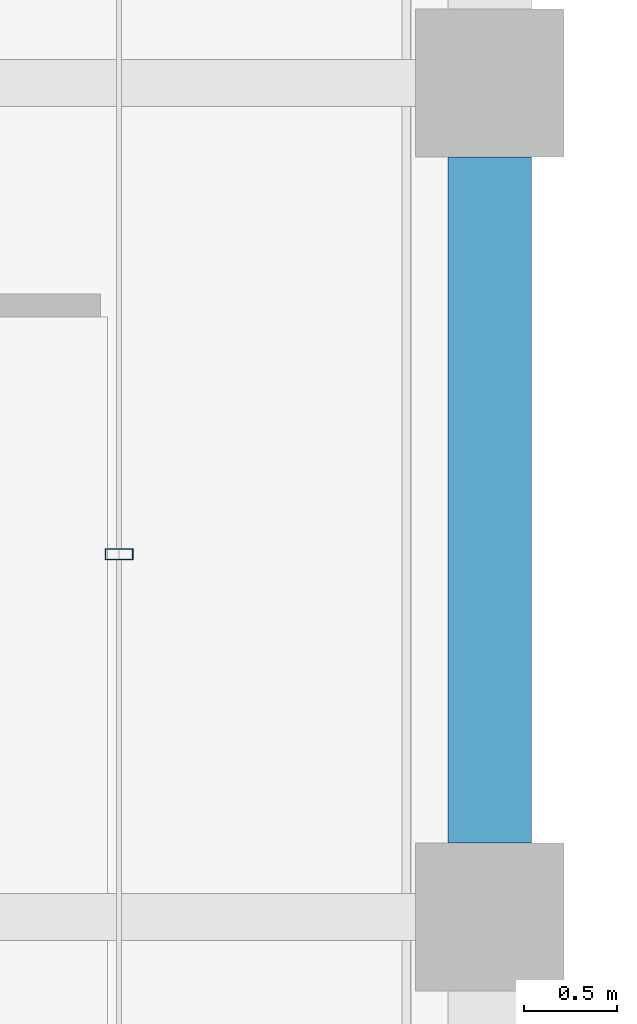
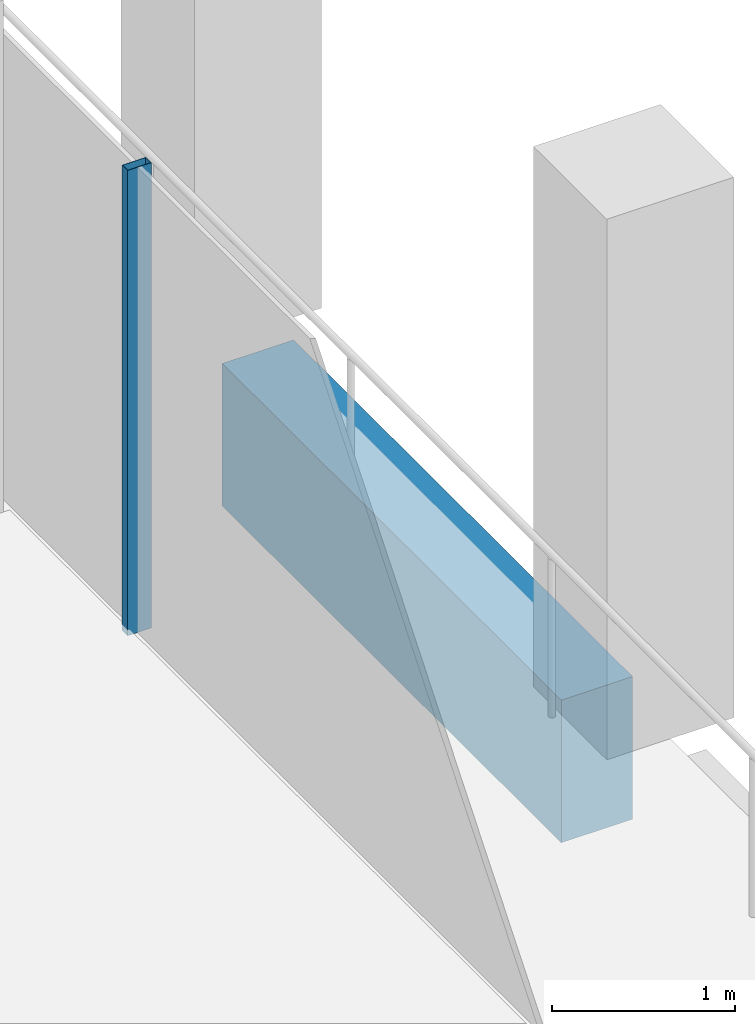
# One storey, part 17 of 40: 1 beam, 1 member, 1 element without a shape of its own.
"""IFC4 building model written with IfcOpenShell, lengths in metres."""

from ifc_helpers import new_model, si_unit, direction, frame, origin, origin_2d, place, context, subcontext, project, spatial, rectangle, hollow_rectangle, extrude, material, material_profile, profile_set, type_object, element, aggregate, save


model = new_model("IFC4")

# Units and contexts
model_context = context("Model", 3, precision=1e-05, world=origin(), true_north=direction((0.0, 1.0)))
body_context = subcontext(model_context, "Body", "Model", "MODEL_VIEW")
ifc_project = project(units=[si_unit("LENGTHUNIT", "METRE"), si_unit("AREAUNIT", "SQUARE_METRE"), si_unit("VOLUMEUNIT", "CUBIC_METRE"), si_unit("PLANEANGLEUNIT", "RADIAN"), si_unit("MASSUNIT", "GRAM", prefix="KILO")], contexts=[model_context])

# Site, building, storey
site_placement = place(None, origin())
site = spatial("IfcSite", under=ifc_project, at=site_placement, CompositionType="ELEMENT")
building_placement = place(site_placement, origin())
building = spatial("IfcBuilding", under=site, at=building_placement, Name="Altepetl Exchange Towers", CompositionType="ELEMENT")
storey_placement = place(building_placement, frame((0.0, 0.0, 202.800048828125)))
storey = spatial("IfcBuildingStorey", under=building, at=storey_placement, Name="L51", CompositionType="ELEMENT", Elevation=202.800048828125)

# Curtain wall, member
ifc_material_1 = material(Name="Aluminium 6063-T6 glazing", Category="aluminium")
curtain_wall_type = type_object("IfcCurtainWallType", Name="Loggia glazing system", PredefinedType="NOTDEFINED", material=ifc_material_1)
curtain_wall_placement = place(storey_placement, origin())
curtain_wall = element("IfcCurtainWall", 1, at=curtain_wall_placement, inside=storey, type_object=curtain_wall_type, Name="CW1 run", PredefinedType="NOTDEFINED")
ifc_material_2 = material(Name="Aluminium 6063-T6", Category="aluminium")
ifc_material_profile_1 = material_profile(ifc_material_2, hollow_rectangle(XDim=0.06005859375, YDim=0.14990234375, WallThickness=0.0029296875, at=origin_2d()), Name="Mullion 60x150 aluminium")
ifc_profile_set_1 = profile_set([ifc_material_profile_1], Name="Aluminium 6063-T6")
member_type = type_object("IfcMemberType", Name="Mullion 60x150 aluminium", PredefinedType="MULLION", material=ifc_profile_set_1)
member_placement = place(storey_placement, frame((70.0, 46.9580078125, 0.0), z_axis=(0.0, 0.0, 1.0), x_axis=(0.0, 1.0, 0.0)))
member = element("IfcMember", 2, at=member_placement, type_object=member_type, Name="MU1 mullion", PredefinedType="MULLION", context=body_context, shape_type="SweptSolid", body=[
    extrude(hollow_rectangle(XDim=0.06005859375, YDim=0.14990234375, WallThickness=0.0029296875, at=origin_2d()), origin(), (0.0, 0.0, 1.0), 3.099853515625),
])
aggregate(curtain_wall, [member])

# Beam
ifc_material_3 = material(Name="Concrete C50/60 precast with cantera amarilla facing", Category="concrete")
ifc_material_profile_2 = material_profile(ifc_material_3, rectangle(XDim=0.449951171875, YDim=0.949951171875, at=origin_2d()), Name="450 x 950")
ifc_profile_set_2 = profile_set([ifc_material_profile_2], Name="Concrete C50/60 precast with cantera amarilla facing")
beam_type = type_object("IfcBeamType", Name="Spandrel beam 450x950 cantera amarilla", PredefinedType="SPANDREL", material=ifc_profile_set_2)
beam_placement = place(storey_placement, frame((72.0, 45.39990234375, -0.625), z_axis=(0.0, 1.0, 0.0), x_axis=(-1.0, 0.0, 0.0)))
element("IfcBeam", 3, at=beam_placement, inside=storey, type_object=beam_type, Name="sp:A:L51:015", PredefinedType="SPANDREL", context=body_context, shape_type="SweptSolid", body=[
    extrude(rectangle(XDim=0.449951171875, YDim=0.949951171875, at=origin_2d()), origin(), (0.0, 0.0, 1.0), 3.7001953125),
])

save(model, "model.ifc")
